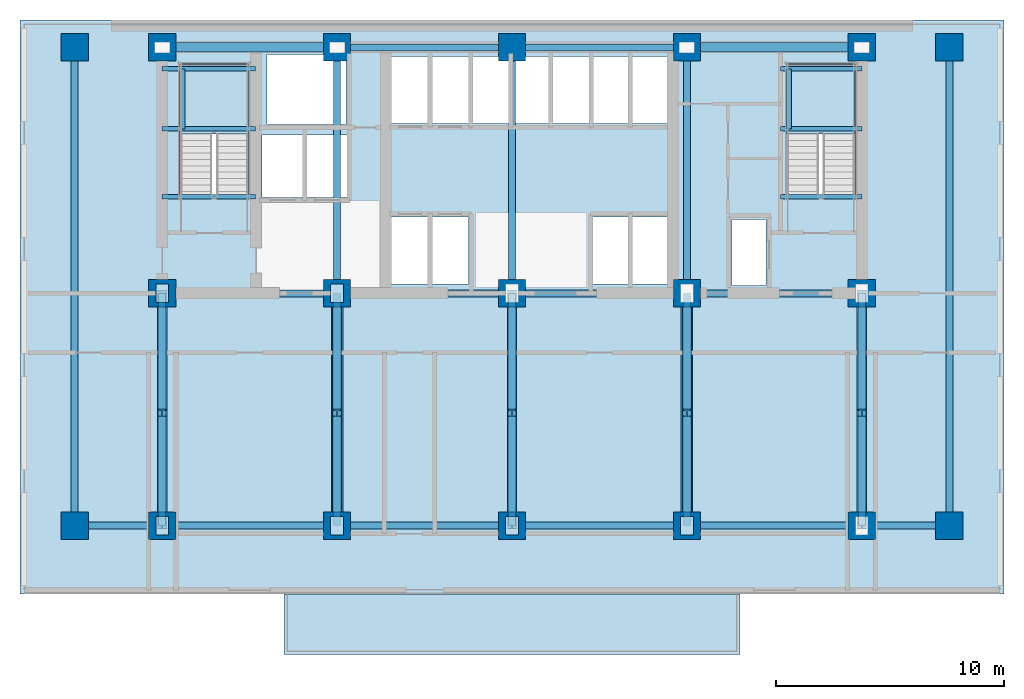
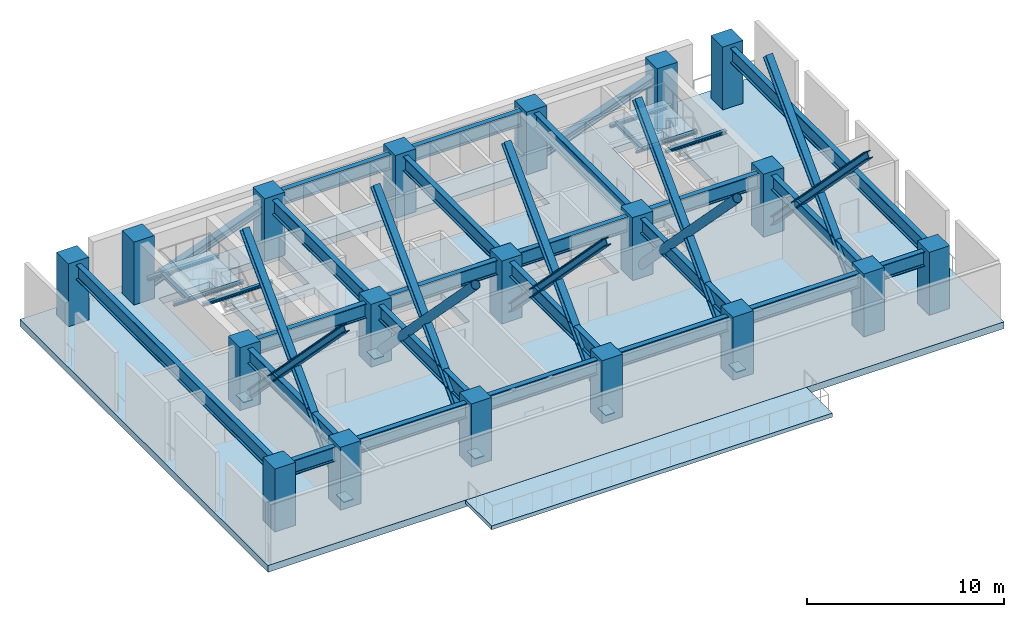
# One storey, part 1 of 8: 30 beams, 19 columns, 17 members, 6 plates, 4 slabs, 2 elements without a shape of their own.
"""IFC4 building model written with IfcOpenShell, lengths in metres."""

from ifc_helpers import new_model, si_unit, direction, frame, origin, origin_2d, place, context, subcontext, project, spatial, polyline, rectangle, hollow_circle, i_section, outline, extrude, material, layer, layer_set, material_profile, profile_set, type_object, element, aggregate, save


model = new_model("IFC4")

# Units and contexts
model_context = context("Model", 3, precision=1e-05, world=origin(), true_north=direction((0.0, 1.0)))
body_context = subcontext(model_context, "Body", "Model", "MODEL_VIEW")
ifc_project = project(units=[si_unit("LENGTHUNIT", "METRE"), si_unit("AREAUNIT", "SQUARE_METRE"), si_unit("VOLUMEUNIT", "CUBIC_METRE"), si_unit("PLANEANGLEUNIT", "RADIAN"), si_unit("MASSUNIT", "GRAM", prefix="KILO")], contexts=[model_context])

# Site, building, storey
site_placement = place(None, origin())
site = spatial("IfcSite", under=ifc_project, at=site_placement, CompositionType="ELEMENT")
building_placement = place(site_placement, origin())
building = spatial("IfcBuilding", under=site, at=building_placement, Name="Yelkora Congress Tower", CompositionType="ELEMENT")
storey_placement = place(building_placement, frame((0.0, 0.0, 78.0)))
storey = spatial("IfcBuildingStorey", under=building, at=storey_placement, Name="L20", CompositionType="ELEMENT", Elevation=78.0)

# Columns
ifc_material_1 = material(Name="Concrete C60/75", Category="concrete")
ifc_material_profile_1 = material_profile(ifc_material_1, rectangle(XDim=1.199951171875, YDim=1.199951171875, at=origin_2d()), Name="RC 1200x1200")
ifc_profile_set_1 = profile_set([ifc_material_profile_1], Name="Concrete C60/75")
column_type = type_object("IfcColumnType", Name="COL-RC-1200", PredefinedType="COLUMN", material=ifc_profile_set_1)
for number, where, z_axis, x_axis, name in (
    (1, (23.0400390625, 35.39990234375, 0.0), (0.0, 0.0, 1.0), (1.0, 0.0, 0.0), "L20 Mega Column MC-S1"),
    (2, (23.0400390625, 46.199951171875, 0.0), (0.0, 0.0, 1.0), (1.0, 0.0, 0.0), "L20 Mega Column MC-N1"),
    (3, (23.0400390625, 25.199951171875, 0.0), (0.0, 0.0, 1.0), (1.0, 0.0, 0.0), "L20 Mega Column MC-D1"),
    (4, (30.719970703125, 35.39990234375, 0.0), (0.0, 0.0, 1.0), (1.0, 0.0, 0.0), "L20 Mega Column MC-S2"),
    (5, (30.719970703125, 46.199951171875, 0.0), (0.0, 0.0, 1.0), (1.0, 0.0, 0.0), "L20 Mega Column MC-N2"),
    (6, (30.719970703125, 25.199951171875, 0.0), (0.0, 0.0, 1.0), (1.0, 0.0, 0.0), "L20 Mega Column MC-D2"),
    (7, (38.39990234375, 35.39990234375, 0.0), (0.0, 0.0, 1.0), (1.0, 0.0, 0.0), "L20 Mega Column MC-S3"),
    (8, (38.39990234375, 46.199951171875, 0.0), (0.0, 0.0, 1.0), (1.0, 0.0, 0.0), "L20 Mega Column MC-N3"),
    (9, (38.39990234375, 25.199951171875, 0.0), (0.0, 0.0, 1.0), (1.0, 0.0, 0.0), "L20 Mega Column MC-D3"),
    (10, (46.080078125, 35.39990234375, 0.0), (0.0, 0.0, 1.0), (1.0, 0.0, 0.0), "L20 Mega Column MC-S4"),
    (11, (46.080078125, 46.199951171875, 0.0), (0.0, 0.0, 1.0), (1.0, 0.0, 0.0), "L20 Mega Column MC-N4"),
    (12, (46.080078125, 25.199951171875, 0.0), (0.0, 0.0, 1.0), (1.0, 0.0, 0.0), "L20 Mega Column MC-D4"),
    (13, (53.760009765625, 35.39990234375, 0.0), (0.0, 0.0, 1.0), (1.0, 0.0, 0.0), "L20 Mega Column MC-S5"),
    (14, (53.760009765625, 46.199951171875, 0.0), (0.0, 0.0, 1.0), (1.0, 0.0, 0.0), "L20 Mega Column MC-N5"),
    (15, (53.760009765625, 25.199951171875, 0.0), (0.0, 0.0, 1.0), (1.0, 0.0, 0.0), "L20 Mega Column MC-D5"),
    (16, (19.199951171875, 25.199951171875, 0.0), (0.0, 0.0, 1.0), (1.0, 0.0, 0.0), "L20 Mega Column MC-F1"),
    (17, (57.60009765625, 25.199951171875, 0.0), (0.0, 0.0, 1.0), (1.0, 0.0, 0.0), "L20 Mega Column MC-F2"),
    (18, (19.199951171875, 46.199951171875, 0.0), (0.0, 0.0, 1.0), (1.0, 0.0, 0.0), "L20 Mega Column MC-F3"),
    (19, (57.60009765625, 46.199951171875, 0.0), (0.0, 0.0, 1.0), (1.0, 0.0, 0.0), "L20 Mega Column MC-F4"),
):
    element("IfcColumn", number, at=place(storey_placement, frame(where, z_axis=z_axis, x_axis=x_axis)), inside=storey, type_object=column_type, Name=name, PredefinedType="COLUMN", context=body_context, shape_type="SweptSolid", body=[
        extrude(rectangle(XDim=1.199951171875, YDim=1.199951171875, at=origin_2d()), origin(), (0.0, 0.0, 1.0), 3.89990234375),
    ])

# Beams
ifc_material_2 = material(Name="Steel S355J2", Category="steel")
ifc_material_profile_2 = material_profile(ifc_material_2, i_section(OverallWidth=0.199951171875, OverallDepth=0.18994140625, WebThickness=0.006591796875, FlangeThickness=0.010009765625, FilletRadius=0.01806640625, at=origin_2d()), Name="HEA 200")
ifc_profile_set_2 = profile_set([ifc_material_profile_2], Name="Steel S355J2")
beam_type_1 = type_object("IfcBeamType", Name="BM-LAND-HEA200", PredefinedType="BEAM", material=ifc_profile_set_2)
for number, where, z_axis, x_axis, name in (
    (20, (23.0400390625, 42.6201171875, 1.634521484375), (1.0, 0.0, 0.0), (0.0, 1.0, 0.0), "ST-01 L20 Landing Header Beam 1S"),
    (21, (23.0400390625, 45.25, 1.634521484375), (1.0, 0.0, 0.0), (0.0, 1.0, 0.0), "ST-01 L20 Landing Header Beam 1N"),
):
    element("IfcBeam", number, at=place(storey_placement, frame(where, z_axis=z_axis, x_axis=x_axis)), inside=storey, type_object=beam_type_1, Name=name, PredefinedType="BEAM", context=body_context, shape_type="SweptSolid", body=[
        extrude(i_section(OverallWidth=0.199951171875, OverallDepth=0.18994140625, WebThickness=0.006591796875, FlangeThickness=0.010009765625, FilletRadius=0.01806640625, at=origin_2d()), origin(), (0.0, 0.0, 1.0), 4.10986328125),
    ])
beam_1_placement = place(storey_placement, frame((23.93994140625, 42.6201171875, 1.634521484375), z_axis=(0.0, 1.0, 0.0), x_axis=(-1.0, 0.0, 0.0)))
element("IfcBeam", 22, at=beam_1_placement, inside=storey, type_object=beam_type_1, Name="ST-01 L20 Landing Trimmer Beam 1M", PredefinedType="BEAM", context=body_context, shape_type="SweptSolid", body=[
    extrude(i_section(OverallWidth=0.199951171875, OverallDepth=0.18994140625, WebThickness=0.006591796875, FlangeThickness=0.010009765625, FilletRadius=0.01806640625, at=origin_2d()), origin(), (0.0, 0.0, 1.0), 2.6298828125),
])
beam_2_placement = place(storey_placement, frame((23.0400390625, 39.639892578125, 3.43798828125), z_axis=(1.0, 0.0, 0.0), x_axis=(0.0, 1.0, 0.0)))
element("IfcBeam", 23, at=beam_2_placement, inside=storey, type_object=beam_type_1, Name="ST-01 L20 Floor Arrival Stringer Header Beam", PredefinedType="BEAM", context=body_context, shape_type="SweptSolid", body=[
    extrude(i_section(OverallWidth=0.199951171875, OverallDepth=0.18994140625, WebThickness=0.006591796875, FlangeThickness=0.010009765625, FilletRadius=0.01806640625, at=origin_2d()), origin(), (0.0, 0.0, 1.0), 4.10986328125),
])
for number, where, z_axis, x_axis, name in (
    (24, (50.179931640625, 42.6201171875, 1.634521484375), (1.0, 0.0, 0.0), (0.0, 1.0, 0.0), "ST-02 L20 Landing Header Beam 1S"),
    (25, (50.179931640625, 45.25, 1.634521484375), (1.0, 0.0, 0.0), (0.0, 1.0, 0.0), "ST-02 L20 Landing Header Beam 1N"),
):
    element("IfcBeam", number, at=place(storey_placement, frame(where, z_axis=z_axis, x_axis=x_axis)), inside=storey, type_object=beam_type_1, Name=name, PredefinedType="BEAM", context=body_context, shape_type="SweptSolid", body=[
        extrude(i_section(OverallWidth=0.199951171875, OverallDepth=0.18994140625, WebThickness=0.006591796875, FlangeThickness=0.010009765625, FilletRadius=0.01806640625, at=origin_2d()), origin(), (0.0, 0.0, 1.0), 3.580078125),
    ])
beam_3_placement = place(storey_placement, frame((50.580078125, 42.6201171875, 1.634521484375), z_axis=(0.0, 1.0, 0.0), x_axis=(-1.0, 0.0, 0.0)))
element("IfcBeam", 26, at=beam_3_placement, inside=storey, type_object=beam_type_1, Name="ST-02 L20 Landing Trimmer Beam 1M", PredefinedType="BEAM", context=body_context, shape_type="SweptSolid", body=[
    extrude(i_section(OverallWidth=0.199951171875, OverallDepth=0.18994140625, WebThickness=0.006591796875, FlangeThickness=0.010009765625, FilletRadius=0.01806640625, at=origin_2d()), origin(), (0.0, 0.0, 1.0), 2.6298828125),
])
beam_4_placement = place(storey_placement, frame((50.179931640625, 39.639892578125, 3.43798828125), z_axis=(1.0, 0.0, 0.0), x_axis=(0.0, 1.0, 0.0)))
element("IfcBeam", 27, at=beam_4_placement, inside=storey, type_object=beam_type_1, Name="ST-02 L20 Floor Arrival Stringer Header Beam", PredefinedType="BEAM", context=body_context, shape_type="SweptSolid", body=[
    extrude(i_section(OverallWidth=0.199951171875, OverallDepth=0.18994140625, WebThickness=0.006591796875, FlangeThickness=0.010009765625, FilletRadius=0.01806640625, at=origin_2d()), origin(), (0.0, 0.0, 1.0), 3.580078125),
])
ifc_material_3 = material(Name="Steel S460M", Category="steel")
ifc_material_profile_3 = material_profile(ifc_material_3, i_section(OverallWidth=0.302001953125, OverallDepth=0.909912109375, WebThickness=0.02099609375, FlangeThickness=0.0400390625, FilletRadius=0.030029296875, at=origin_2d()), Name="HEM 900")
ifc_profile_set_3 = profile_set([ifc_material_profile_3], Name="Steel S460M")
beam_type_2 = type_object("IfcBeamType", Name="BM-XFER-HEM900", PredefinedType="BEAM", material=ifc_profile_set_3)
beam_5_placement = place(storey_placement, frame((19.199951171875, 25.199951171875, 3.22509765625), z_axis=(1.0, 0.0, 0.0), x_axis=(0.0, 1.0, 0.0)))
element("IfcBeam", 28, at=beam_5_placement, inside=storey, type_object=beam_type_2, Name="L20 Spine Grid D Girder 1", PredefinedType="BEAM", context=body_context, shape_type="SweptSolid", body=[
    extrude(i_section(OverallWidth=0.302001953125, OverallDepth=0.909912109375, WebThickness=0.02099609375, FlangeThickness=0.0400390625, FilletRadius=0.030029296875, at=origin_2d()), origin(), (0.0, 0.0, 1.0), 3.840087890625),
])
for number, where, z_axis, x_axis, name in (
    (29, (23.0400390625, 25.199951171875, 3.22509765625), (1.0, 0.0, 0.0), (0.0, 1.0, 0.0), "L20 Spine Grid D Girder 2"),
    (30, (30.719970703125, 25.199951171875, 3.22509765625), (1.0, 0.0, 0.0), (0.0, 1.0, 0.0), "L20 Spine Grid D Girder 3"),
):
    element("IfcBeam", number, at=place(storey_placement, frame(where, z_axis=z_axis, x_axis=x_axis)), inside=storey, type_object=beam_type_2, Name=name, PredefinedType="BEAM", context=body_context, shape_type="SweptSolid", body=[
        extrude(i_section(OverallWidth=0.302001953125, OverallDepth=0.909912109375, WebThickness=0.02099609375, FlangeThickness=0.0400390625, FilletRadius=0.030029296875, at=origin_2d()), origin(), (0.0, 0.0, 1.0), 7.679931640625),
    ])
beam_6_placement = place(storey_placement, frame((38.39990234375, 25.199951171875, 3.22509765625), z_axis=(1.0, 0.0, 0.0), x_axis=(0.0, 1.0, 0.0)))
element("IfcBeam", 31, at=beam_6_placement, inside=storey, type_object=beam_type_2, Name="L20 Spine Grid D Girder 4", PredefinedType="BEAM", context=body_context, shape_type="SweptSolid", body=[
    extrude(i_section(OverallWidth=0.302001953125, OverallDepth=0.909912109375, WebThickness=0.02099609375, FlangeThickness=0.0400390625, FilletRadius=0.030029296875, at=origin_2d()), origin(), (0.0, 0.0, 1.0), 7.68017578125),
])
beam_7_placement = place(storey_placement, frame((46.080078125, 25.199951171875, 3.22509765625), z_axis=(1.0, 0.0, 0.0), x_axis=(0.0, 1.0, 0.0)))
element("IfcBeam", 32, at=beam_7_placement, inside=storey, type_object=beam_type_2, Name="L20 Spine Grid D Girder 5", PredefinedType="BEAM", context=body_context, shape_type="SweptSolid", body=[
    extrude(i_section(OverallWidth=0.302001953125, OverallDepth=0.909912109375, WebThickness=0.02099609375, FlangeThickness=0.0400390625, FilletRadius=0.030029296875, at=origin_2d()), origin(), (0.0, 0.0, 1.0), 7.679931640625),
])
beam_8_placement = place(storey_placement, frame((53.760009765625, 25.199951171875, 3.22509765625), z_axis=(1.0, 0.0, 0.0), x_axis=(0.0, 1.0, 0.0)))
element("IfcBeam", 33, at=beam_8_placement, inside=storey, type_object=beam_type_2, Name="L20 Spine Grid D Girder 6", PredefinedType="BEAM", context=body_context, shape_type="SweptSolid", body=[
    extrude(i_section(OverallWidth=0.302001953125, OverallDepth=0.909912109375, WebThickness=0.02099609375, FlangeThickness=0.0400390625, FilletRadius=0.030029296875, at=origin_2d()), origin(), (0.0, 0.0, 1.0), 3.840087890625),
])
beam_9_placement = place(storey_placement, frame((30.719970703125, 46.199951171875, 3.22509765625), z_axis=(1.0, 0.0, 0.0), x_axis=(0.0, 1.0, 0.0)))
element("IfcBeam", 34, at=beam_9_placement, inside=storey, type_object=beam_type_2, Name="L20 Core North Girder 3", PredefinedType="BEAM", context=body_context, shape_type="SweptSolid", body=[
    extrude(i_section(OverallWidth=0.302001953125, OverallDepth=0.909912109375, WebThickness=0.02099609375, FlangeThickness=0.0400390625, FilletRadius=0.030029296875, at=origin_2d()), origin(), (0.0, 0.0, 1.0), 7.679931640625),
])
beam_10_placement = place(storey_placement, frame((38.39990234375, 46.199951171875, 3.22509765625), z_axis=(1.0, 0.0, 0.0), x_axis=(0.0, 1.0, 0.0)))
element("IfcBeam", 35, at=beam_10_placement, inside=storey, type_object=beam_type_2, Name="L20 Core North Girder 4", PredefinedType="BEAM", context=body_context, shape_type="SweptSolid", body=[
    extrude(i_section(OverallWidth=0.302001953125, OverallDepth=0.909912109375, WebThickness=0.02099609375, FlangeThickness=0.0400390625, FilletRadius=0.030029296875, at=origin_2d()), origin(), (0.0, 0.0, 1.0), 7.68017578125),
])
for number, where, z_axis, x_axis, name in (
    (36, (23.0400390625, 35.39990234375, 3.22509765625), (1.0, 0.0, 0.0), (0.0, 1.0, 0.0), "L20 Core South Girder 1"),
    (37, (30.719970703125, 35.39990234375, 3.22509765625), (1.0, 0.0, 0.0), (0.0, 1.0, 0.0), "L20 Core South Girder 2"),
):
    element("IfcBeam", number, at=place(storey_placement, frame(where, z_axis=z_axis, x_axis=x_axis)), inside=storey, type_object=beam_type_2, Name=name, PredefinedType="BEAM", context=body_context, shape_type="SweptSolid", body=[
        extrude(i_section(OverallWidth=0.302001953125, OverallDepth=0.909912109375, WebThickness=0.02099609375, FlangeThickness=0.0400390625, FilletRadius=0.030029296875, at=origin_2d()), origin(), (0.0, 0.0, 1.0), 7.679931640625),
    ])
beam_11_placement = place(storey_placement, frame((38.39990234375, 35.39990234375, 3.22509765625), z_axis=(1.0, 0.0, 0.0), x_axis=(0.0, 1.0, 0.0)))
element("IfcBeam", 38, at=beam_11_placement, inside=storey, type_object=beam_type_2, Name="L20 Core South Girder 3", PredefinedType="BEAM", context=body_context, shape_type="SweptSolid", body=[
    extrude(i_section(OverallWidth=0.302001953125, OverallDepth=0.909912109375, WebThickness=0.02099609375, FlangeThickness=0.0400390625, FilletRadius=0.030029296875, at=origin_2d()), origin(), (0.0, 0.0, 1.0), 7.68017578125),
])
beam_12_placement = place(storey_placement, frame((46.080078125, 35.39990234375, 3.22509765625), z_axis=(1.0, 0.0, 0.0), x_axis=(0.0, 1.0, 0.0)))
element("IfcBeam", 39, at=beam_12_placement, inside=storey, type_object=beam_type_2, Name="L20 Core South Girder 4", PredefinedType="BEAM", context=body_context, shape_type="SweptSolid", body=[
    extrude(i_section(OverallWidth=0.302001953125, OverallDepth=0.909912109375, WebThickness=0.02099609375, FlangeThickness=0.0400390625, FilletRadius=0.030029296875, at=origin_2d()), origin(), (0.0, 0.0, 1.0), 7.679931640625),
])
for number, where, z_axis, x_axis, name in (
    (40, (23.0400390625, 25.199951171875, 3.22509765625), (0.0, 1.0, 0.0), (-1.0, 0.0, 0.0), "L20 Core Tie Girder MC-D1"),
    (41, (30.719970703125, 25.199951171875, 3.22509765625), (0.0, 1.0, 0.0), (-1.0, 0.0, 0.0), "L20 Core Tie Girder MC-D2"),
):
    element("IfcBeam", number, at=place(storey_placement, frame(where, z_axis=z_axis, x_axis=x_axis)), inside=storey, type_object=beam_type_2, Name=name, PredefinedType="BEAM", context=body_context, shape_type="SweptSolid", body=[
        extrude(i_section(OverallWidth=0.302001953125, OverallDepth=0.909912109375, WebThickness=0.02099609375, FlangeThickness=0.0400390625, FilletRadius=0.030029296875, at=origin_2d()), origin(), (0.0, 0.0, 1.0), 10.199951171875),
    ])
beam_13_placement = place(storey_placement, frame((30.719970703125, 35.39990234375, 3.22509765625), z_axis=(0.0, 1.0, 0.0), x_axis=(-1.0, 0.0, 0.0)))
element("IfcBeam", 42, at=beam_13_placement, inside=storey, type_object=beam_type_2, Name="L20 Core Tie Girder MC-S2", PredefinedType="BEAM", context=body_context, shape_type="SweptSolid", body=[
    extrude(i_section(OverallWidth=0.302001953125, OverallDepth=0.909912109375, WebThickness=0.02099609375, FlangeThickness=0.0400390625, FilletRadius=0.030029296875, at=origin_2d()), origin(), (0.0, 0.0, 1.0), 10.800048828125),
])
beam_14_placement = place(storey_placement, frame((38.39990234375, 25.199951171875, 3.22509765625), z_axis=(0.0, 1.0, 0.0), x_axis=(-1.0, 0.0, 0.0)))
element("IfcBeam", 43, at=beam_14_placement, inside=storey, type_object=beam_type_2, Name="L20 Core Tie Girder MC-D3", PredefinedType="BEAM", context=body_context, shape_type="SweptSolid", body=[
    extrude(i_section(OverallWidth=0.302001953125, OverallDepth=0.909912109375, WebThickness=0.02099609375, FlangeThickness=0.0400390625, FilletRadius=0.030029296875, at=origin_2d()), origin(), (0.0, 0.0, 1.0), 10.199951171875),
])
beam_15_placement = place(storey_placement, frame((38.39990234375, 35.39990234375, 3.22509765625), z_axis=(0.0, 1.0, 0.0), x_axis=(-1.0, 0.0, 0.0)))
element("IfcBeam", 44, at=beam_15_placement, inside=storey, type_object=beam_type_2, Name="L20 Core Tie Girder MC-S3", PredefinedType="BEAM", context=body_context, shape_type="SweptSolid", body=[
    extrude(i_section(OverallWidth=0.302001953125, OverallDepth=0.909912109375, WebThickness=0.02099609375, FlangeThickness=0.0400390625, FilletRadius=0.030029296875, at=origin_2d()), origin(), (0.0, 0.0, 1.0), 10.800048828125),
])
beam_16_placement = place(storey_placement, frame((46.080078125, 25.199951171875, 3.22509765625), z_axis=(0.0, 1.0, 0.0), x_axis=(-1.0, 0.0, 0.0)))
element("IfcBeam", 45, at=beam_16_placement, inside=storey, type_object=beam_type_2, Name="L20 Core Tie Girder MC-D4", PredefinedType="BEAM", context=body_context, shape_type="SweptSolid", body=[
    extrude(i_section(OverallWidth=0.302001953125, OverallDepth=0.909912109375, WebThickness=0.02099609375, FlangeThickness=0.0400390625, FilletRadius=0.030029296875, at=origin_2d()), origin(), (0.0, 0.0, 1.0), 10.199951171875),
])
beam_17_placement = place(storey_placement, frame((46.080078125, 35.39990234375, 3.22509765625), z_axis=(0.0, 1.0, 0.0), x_axis=(-1.0, 0.0, 0.0)))
element("IfcBeam", 46, at=beam_17_placement, inside=storey, type_object=beam_type_2, Name="L20 Core Tie Girder MC-S4", PredefinedType="BEAM", context=body_context, shape_type="SweptSolid", body=[
    extrude(i_section(OverallWidth=0.302001953125, OverallDepth=0.909912109375, WebThickness=0.02099609375, FlangeThickness=0.0400390625, FilletRadius=0.030029296875, at=origin_2d()), origin(), (0.0, 0.0, 1.0), 10.800048828125),
])
beam_18_placement = place(storey_placement, frame((53.760009765625, 25.199951171875, 3.22509765625), z_axis=(0.0, 1.0, 0.0), x_axis=(-1.0, 0.0, 0.0)))
element("IfcBeam", 47, at=beam_18_placement, inside=storey, type_object=beam_type_2, Name="L20 Core Tie Girder MC-D5", PredefinedType="BEAM", context=body_context, shape_type="SweptSolid", body=[
    extrude(i_section(OverallWidth=0.302001953125, OverallDepth=0.909912109375, WebThickness=0.02099609375, FlangeThickness=0.0400390625, FilletRadius=0.030029296875, at=origin_2d()), origin(), (0.0, 0.0, 1.0), 10.199951171875),
])
for number, where, z_axis, x_axis, name in (
    (48, (19.199951171875, 25.199951171875, 3.22509765625), (0.0, 1.0, 0.0), (-1.0, 0.0, 0.0), "L20 Neck Flank Girder MC-F1"),
    (49, (57.60009765625, 25.199951171875, 3.22509765625), (0.0, 1.0, 0.0), (-1.0, 0.0, 0.0), "L20 Neck Flank Girder MC-F2"),
):
    element("IfcBeam", number, at=place(storey_placement, frame(where, z_axis=z_axis, x_axis=x_axis)), inside=storey, type_object=beam_type_2, Name=name, PredefinedType="BEAM", context=body_context, shape_type="SweptSolid", body=[
        extrude(i_section(OverallWidth=0.302001953125, OverallDepth=0.909912109375, WebThickness=0.02099609375, FlangeThickness=0.0400390625, FilletRadius=0.030029296875, at=origin_2d()), origin(), (0.0, 0.0, 1.0), 21.0),
    ])

# Members
ifc_material_profile_4 = material_profile(ifc_material_3, hollow_circle(Radius=0.25390625, WallThickness=0.02001953125, at=origin_2d()), Name="CHS 508x20")
ifc_profile_set_4 = profile_set([ifc_material_profile_4], Name="Steel S460M")
member_type_1 = type_object("IfcMemberType", Name="MEM-BRACE-CHS508", PredefinedType="BRACE", material=ifc_profile_set_4)
for number, where, z_axis, x_axis, name in (
    (50, (30.719970703125, 35.39990234375, 0.25), (0.0, -0.697467826635, 0.71661609723), (1.0, 0.0, 0.0), "N1 Outrigger Continuous Diagonal 2A"),
    (51, (46.080078125, 35.39990234375, 0.25), (0.0, -0.697467826635, 0.71661609723), (1.0, 0.0, 0.0), "N1 Outrigger Continuous Diagonal 4A"),
):
    element("IfcMember", number, at=place(storey_placement, frame(where, z_axis=z_axis, x_axis=x_axis)), inside=storey, type_object=member_type_1, Name=name, PredefinedType="BRACE", context=body_context, shape_type="SweptSolid", body=[
        extrude(hollow_circle(Radius=0.25390625, WallThickness=0.02001953125, at=origin_2d()), origin(), (0.0, 0.0, 1.0), 14.624267578125),
    ])
ifc_material_profile_5 = material_profile(ifc_material_3, i_section(OverallWidth=0.406005859375, OverallDepth=0.416015625, WebThickness=0.02978515625, FlangeThickness=0.048095703125, FilletRadius=0.014892578125, at=origin_2d()), Name="HD 400x382")
ifc_profile_set_5 = profile_set([ifc_material_profile_5], Name="Steel S460M")
member_type_2 = type_object("IfcMemberType", Name="MEM-BRACE-HD382", PredefinedType="BRACE", material=ifc_profile_set_5)
member_1_placement = place(storey_placement, frame((23.0400390625, 35.39990234375, 0.25), z_axis=(0.0, -0.697467826635, 0.71661609723), x_axis=(1.0, 0.0, 0.0)))
element("IfcMember", 52, at=member_1_placement, inside=storey, type_object=member_type_2, Name="N1 Outrigger Continuous Diagonal 1A", PredefinedType="BRACE", context=body_context, shape_type="SweptSolid", body=[
    extrude(i_section(OverallWidth=0.406005859375, OverallDepth=0.416015625, WebThickness=0.02978515625, FlangeThickness=0.048095703125, FilletRadius=0.014892578125, at=origin_2d()), origin(), (0.0, 0.0, 1.0), 14.624267578125),
])
for number, where, z_axis, x_axis, name in (
    (53, (23.0400390625, 35.39990234375, 10.72998046875), (0.0, -0.697459279751, -0.716624415638), (1.0, 0.0, 0.0), "N1 Outrigger Split Diagonal 1B1"),
    (54, (23.0400390625, 30.139892578125, 5.32568359375), (0.0, -0.697459279751, -0.716624415638), (1.0, 0.0, 0.0), "N1 Outrigger Split Diagonal 1B2"),
    (55, (30.719970703125, 35.39990234375, 10.72998046875), (0.0, -0.697459279751, -0.716624415638), (1.0, 0.0, 0.0), "N1 Outrigger Split Diagonal 2B1"),
    (56, (30.719970703125, 30.139892578125, 5.32568359375), (0.0, -0.697459279751, -0.716624415638), (1.0, 0.0, 0.0), "N1 Outrigger Split Diagonal 2B2"),
):
    element("IfcMember", number, at=place(storey_placement, frame(where, z_axis=z_axis, x_axis=x_axis)), inside=storey, type_object=member_type_2, Name=name, PredefinedType="BRACE", context=body_context, shape_type="SweptSolid", body=[
        extrude(i_section(OverallWidth=0.406005859375, OverallDepth=0.416015625, WebThickness=0.02978515625, FlangeThickness=0.048095703125, FilletRadius=0.014892578125, at=origin_2d()), origin(), (0.0, 0.0, 1.0), 7.082763671875),
    ])
member_2_placement = place(storey_placement, frame((38.39990234375, 35.39990234375, 0.25), z_axis=(0.0, -0.697467826635, 0.71661609723), x_axis=(1.0, 0.0, 0.0)))
element("IfcMember", 57, at=member_2_placement, inside=storey, type_object=member_type_2, Name="N1 Outrigger Continuous Diagonal 3A", PredefinedType="BRACE", context=body_context, shape_type="SweptSolid", body=[
    extrude(i_section(OverallWidth=0.406005859375, OverallDepth=0.416015625, WebThickness=0.02978515625, FlangeThickness=0.048095703125, FilletRadius=0.014892578125, at=origin_2d()), origin(), (0.0, 0.0, 1.0), 14.624267578125),
])
for number, where, z_axis, x_axis, name in (
    (58, (38.39990234375, 35.39990234375, 10.72998046875), (0.0, -0.697459279751, -0.716624415638), (1.0, 0.0, 0.0), "N1 Outrigger Split Diagonal 3B1"),
    (59, (38.39990234375, 30.139892578125, 5.32568359375), (0.0, -0.697459279751, -0.716624415638), (1.0, 0.0, 0.0), "N1 Outrigger Split Diagonal 3B2"),
    (60, (46.080078125, 35.39990234375, 10.72998046875), (0.0, -0.697459279751, -0.716624415638), (1.0, 0.0, 0.0), "N1 Outrigger Split Diagonal 4B1"),
    (61, (46.080078125, 30.139892578125, 5.32568359375), (0.0, -0.697459279751, -0.716624415638), (1.0, 0.0, 0.0), "N1 Outrigger Split Diagonal 4B2"),
):
    element("IfcMember", number, at=place(storey_placement, frame(where, z_axis=z_axis, x_axis=x_axis)), inside=storey, type_object=member_type_2, Name=name, PredefinedType="BRACE", context=body_context, shape_type="SweptSolid", body=[
        extrude(i_section(OverallWidth=0.406005859375, OverallDepth=0.416015625, WebThickness=0.02978515625, FlangeThickness=0.048095703125, FilletRadius=0.014892578125, at=origin_2d()), origin(), (0.0, 0.0, 1.0), 7.082763671875),
    ])
member_3_placement = place(storey_placement, frame((53.760009765625, 35.39990234375, 0.25), z_axis=(0.0, -0.697467826635, 0.71661609723), x_axis=(1.0, 0.0, 0.0)))
element("IfcMember", 62, at=member_3_placement, inside=storey, type_object=member_type_2, Name="N1 Outrigger Continuous Diagonal 5A", PredefinedType="BRACE", context=body_context, shape_type="SweptSolid", body=[
    extrude(i_section(OverallWidth=0.406005859375, OverallDepth=0.416015625, WebThickness=0.02978515625, FlangeThickness=0.048095703125, FilletRadius=0.014892578125, at=origin_2d()), origin(), (0.0, 0.0, 1.0), 14.624267578125),
])
for number, where, z_axis, x_axis, name in (
    (63, (53.760009765625, 35.39990234375, 10.72998046875), (0.0, -0.697459279751, -0.716624415638), (1.0, 0.0, 0.0), "N1 Outrigger Split Diagonal 5B1"),
    (64, (53.760009765625, 30.139892578125, 5.32568359375), (0.0, -0.697459279751, -0.716624415638), (1.0, 0.0, 0.0), "N1 Outrigger Split Diagonal 5B2"),
):
    element("IfcMember", number, at=place(storey_placement, frame(where, z_axis=z_axis, x_axis=x_axis)), inside=storey, type_object=member_type_2, Name=name, PredefinedType="BRACE", context=body_context, shape_type="SweptSolid", body=[
        extrude(i_section(OverallWidth=0.406005859375, OverallDepth=0.416015625, WebThickness=0.02978515625, FlangeThickness=0.048095703125, FilletRadius=0.014892578125, at=origin_2d()), origin(), (0.0, 0.0, 1.0), 7.082763671875),
    ])
ifc_material_profile_6 = material_profile(ifc_material_3, i_section(OverallWidth=0.412109375, OverallDepth=0.43505859375, WebThickness=0.035888671875, FlangeThickness=0.05810546875, FilletRadius=0.014892578125, at=origin_2d()), Name="HD 400x463")
ifc_profile_set_6 = profile_set([ifc_material_profile_6], Name="Steel S460M")
member_type_3 = type_object("IfcMemberType", Name="MEM-STRUT-HD463", PredefinedType="STRUT", material=ifc_profile_set_6)
for number, where, z_axis, x_axis, name in (
    (65, (23.0400390625, 46.199951171875, 0.35009765625), (0.940300324574, 0.0, 0.340345852929), (0.0, 1.0, 0.0), "N1 Core Outrigger Tie Strut W"),
    (66, (46.080078125, 46.199951171875, 0.35009765625), (0.940300324574, 0.0, 0.340345852929), (0.0, 1.0, 0.0), "N1 Core Outrigger Tie Strut E"),
):
    element("IfcMember", number, at=place(storey_placement, frame(where, z_axis=z_axis, x_axis=x_axis)), inside=storey, type_object=member_type_3, Name=name, PredefinedType="STRUT", context=body_context, shape_type="SweptSolid", body=[
        extrude(i_section(OverallWidth=0.412109375, OverallDepth=0.43505859375, WebThickness=0.035888671875, FlangeThickness=0.05810546875, FilletRadius=0.014892578125, at=origin_2d()), origin(), (0.0, 0.0, 1.0), 8.16748046875),
    ])

# Plates
ifc_layer_1 = layer(ifc_material_3, 0.06005859375)
ifc_layer_set_1 = layer_set([ifc_layer_1], Name="Steel S460M")
plate_type = type_object("IfcPlateType", Name="PLT-GUSSET-800x560", PredefinedType="USERDEFINED", material=ifc_layer_set_1)
for number, where, z_axis, x_axis, name in (
    (67, (23.0400390625, 35.39990234375, 0.219970703125), (0.0, 0.0, 1.0), (0.0, 1.0, 0.0), "N1 Outrigger End Gusset Plate 1CB"),
    (68, (23.0400390625, 25.199951171875, 0.219970703125), (0.0, 0.0, 1.0), (0.0, 1.0, 0.0), "N1 Outrigger End Gusset Plate 1SB"),
    (69, (30.719970703125, 35.39990234375, 0.219970703125), (0.0, 0.0, 1.0), (0.0, 1.0, 0.0), "N1 Outrigger End Gusset Plate 2CB"),
    (70, (30.719970703125, 25.199951171875, 0.219970703125), (0.0, 0.0, 1.0), (0.0, 1.0, 0.0), "N1 Outrigger End Gusset Plate 2SB"),
    (71, (38.39990234375, 25.199951171875, 0.219970703125), (0.0, 0.0, 1.0), (0.0, 1.0, 0.0), "N1 Outrigger End Gusset Plate 3SB"),
    (72, (46.080078125, 25.199951171875, 0.219970703125), (0.0, 0.0, 1.0), (0.0, 1.0, 0.0), "N1 Outrigger End Gusset Plate 4SB"),
):
    element("IfcPlate", number, at=place(storey_placement, frame(where, z_axis=z_axis, x_axis=x_axis)), inside=storey, type_object=plate_type, Name=name, ObjectType="GUSSET_PLATE", PredefinedType="USERDEFINED", context=body_context, shape_type="SweptSolid", body=[
        extrude(rectangle(XDim=0.800048828125, YDim=0.56005859375, at=origin_2d()), origin(), (0.0, 0.0, 1.0), 0.06005859375),
    ])

# Stair, slab
ifc_material_4 = material(Name="Concrete C40/50", Category="concrete")
stair_type = type_object("IfcStairType", Name="STAIR-HT-1420-R22-177", PredefinedType="HALF_TURN_STAIR", material=ifc_material_4)
stair_1_placement = place(storey_placement, origin())
stair_1 = element("IfcStair", 73, at=stair_1_placement, inside=storey, type_object=stair_type, Name="West Core Protected Exit Stair ST-01 (L20)", PredefinedType="HALF_TURN_STAIR")
ifc_layer_2 = layer(ifc_material_4, 0.219970703125)
ifc_layer_set_2 = layer_set([ifc_layer_2], Name="Concrete C40/50")
slab_type_1 = type_object("IfcSlabType", Name="SLAB-LANDING-220", PredefinedType="LANDING", material=ifc_layer_set_2)
slab_1_placement = place(storey_placement, frame((0.0, 0.0, 1.72998046875)))
slab_1 = element("IfcSlab", 74, at=slab_1_placement, type_object=slab_type_1, Name="ST-01 L20 Half Landing 1", PredefinedType="LANDING", context=body_context, shape_type="SweptSolid", body=[
    extrude(outline(polyline([(26.820068359375, 42.39990234375), (26.820068359375, 45.469970703125), (23.820068359375, 45.469970703125), (23.820068359375, 42.39990234375), (26.820068359375, 42.39990234375)])), origin(), (0.0, 0.0, 1.0), 0.219970703125),
])
aggregate(stair_1, [slab_1])

stair_2_placement = place(storey_placement, origin())
stair_2 = element("IfcStair", 75, at=stair_2_placement, inside=storey, type_object=stair_type, Name="East Core Protected Exit Stair ST-02 (L20)", PredefinedType="HALF_TURN_STAIR")
slab_2_placement = place(storey_placement, frame((0.0, 0.0, 1.72998046875)))
slab_2 = element("IfcSlab", 76, at=slab_2_placement, type_object=slab_type_1, Name="ST-02 L20 Half Landing 1", PredefinedType="LANDING", context=body_context, shape_type="SweptSolid", body=[
    extrude(outline(polyline([(53.4599609375, 42.39990234375), (53.4599609375, 45.469970703125), (50.4599609375, 45.469970703125), (50.4599609375, 42.39990234375), (53.4599609375, 42.39990234375)])), origin(), (0.0, 0.0, 1.0), 0.219970703125),
])
aggregate(stair_2, [slab_2])

# Slabs
ifc_layer_3 = layer(ifc_material_4, 0.239990234375)
ifc_layer_set_3 = layer_set([ifc_layer_3], Name="Concrete C40/50")
slab_type_2 = type_object("IfcSlabType", Name="SLAB-TER-240", PredefinedType="FLOOR", material=ifc_layer_set_3)
slab_3_placement = place(storey_placement, frame((0.0, 0.0, -0.239990234375)))
element("IfcSlab", 77, at=slab_3_placement, inside=storey, type_object=slab_type_2, Name="L20 Planted Sky Garden Terrace Slab", PredefinedType="FLOOR", context=body_context, shape_type="SweptSolid", body=[
    extrude(outline(polyline([(28.39990234375, 19.550048828125), (28.39990234375, 22.199951171875), (48.39990234375, 22.199951171875), (48.39990234375, 19.550048828125), (28.39990234375, 19.550048828125)])), origin(), (0.0, 0.0, 1.0), 0.239990234375),
])
ifc_layer_4 = layer(ifc_material_1, 0.419921875)
ifc_layer_set_4 = layer_set([ifc_layer_4], Name="Concrete C60/75")
slab_type_3 = type_object("IfcSlabType", Name="SLAB-XFER-420", PredefinedType="FLOOR", material=ifc_layer_set_4)
slab_4_placement = place(storey_placement, frame((0.0, 0.0, -0.419921875)))
element("IfcSlab", 78, at=slab_4_placement, inside=storey, type_object=slab_type_3, Name="L20 Structural Floor Slab", PredefinedType="FLOOR", context=body_context, shape_type="SweptSolid", body=[
    extrude(outline(polyline([(16.800048828125, 22.199951171875), (60.0, 22.199951171875), (60.0, 47.39990234375), (16.800048828125, 47.39990234375), (16.800048828125, 22.199951171875)]), holes=[polyline([(23.820068359375, 39.6298828125), (26.820068359375, 39.6298828125), (26.820068359375, 45.469970703125), (23.820068359375, 45.469970703125), (23.820068359375, 39.6298828125)]), polyline([(50.4599609375, 39.6298828125), (53.4599609375, 39.6298828125), (53.4599609375, 45.469970703125), (50.4599609375, 45.469970703125), (50.4599609375, 39.6298828125)]), polyline([(48.050048828125, 35.75), (49.550048828125, 35.75), (49.550048828125, 38.64990234375), (48.050048828125, 38.64990234375), (48.050048828125, 35.75)]), polyline([(41.949951171875, 35.800048828125), (45.25, 35.800048828125), (45.25, 38.75), (41.949951171875, 38.75), (41.949951171875, 35.800048828125)]), polyline([(33.10009765625, 42.85009765625), (45.25, 42.85009765625), (45.25, 45.800048828125), (33.10009765625, 45.800048828125), (33.10009765625, 42.85009765625)]), polyline([(33.10009765625, 35.800048828125), (36.5, 35.800048828125), (36.5, 38.75), (33.10009765625, 38.75), (33.10009765625, 35.800048828125)]), polyline([(27.419921875, 39.60009765625), (31.179931640625, 39.60009765625), (31.179931640625, 42.35009765625), (27.419921875, 42.35009765625), (27.419921875, 39.60009765625)]), polyline([(27.64990234375, 42.820068359375), (31.1201171875, 42.820068359375), (31.1201171875, 45.8798828125), (27.64990234375, 45.8798828125), (27.64990234375, 42.820068359375)])]), origin(), (0.0, 0.0, 1.0), 0.419921875),
])

save(model, "model.ifc")
